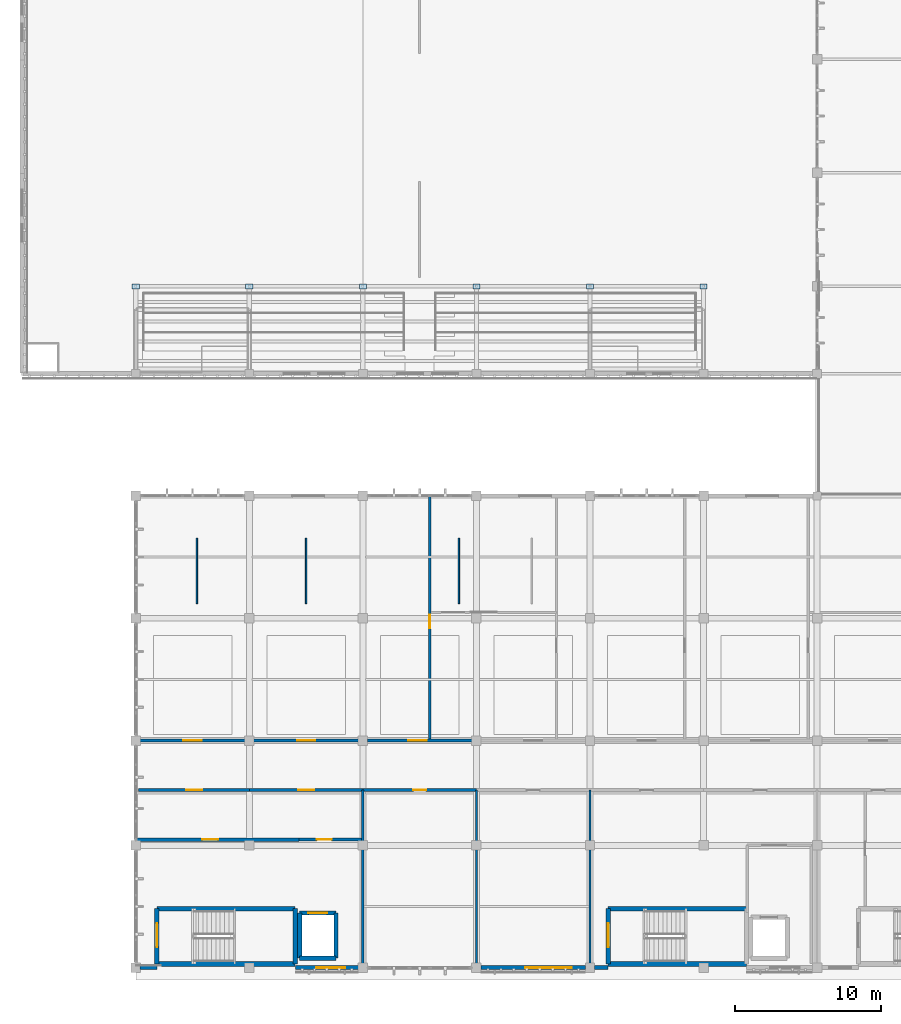
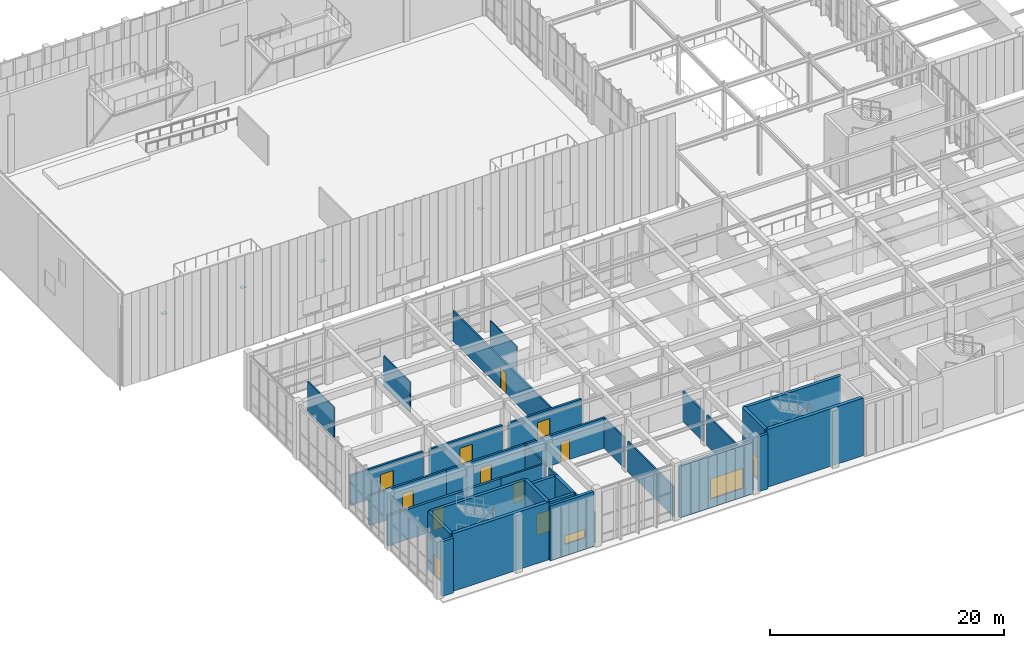
# One storey, part 70 of 105: 33 walls, 12 doors, 6 plates, 2 windows, 14 openings.
"""IFC4 building model written with IfcOpenShell, lengths in metres."""

from ifc_helpers import new_model, si_unit, direction, frame, frame_2d, origin, origin_2d, place, context, subcontext, project, spatial, rectangle, extrude, material, layer, layer_set, type_object, element, fill, save


model = new_model("IFC4")

# Units and contexts
model_context = context("Model", 3, precision=1e-05, world=origin(), true_north=direction((0.0, 1.0)))
body_context = subcontext(model_context, "Body", "Model", "MODEL_VIEW")
ifc_project = project(units=[si_unit("LENGTHUNIT", "METRE"), si_unit("AREAUNIT", "SQUARE_METRE"), si_unit("VOLUMEUNIT", "CUBIC_METRE"), si_unit("PLANEANGLEUNIT", "RADIAN"), si_unit("MASSUNIT", "GRAM", prefix="KILO")], contexts=[model_context])

# Site, building, storey
site_placement = place(None, origin())
site = spatial("IfcSite", under=ifc_project, at=site_placement, CompositionType="ELEMENT")
building_placement = place(site_placement, origin())
building = spatial("IfcBuilding", under=site, at=building_placement, Name="Tizgana Railside Sports Hall", CompositionType="ELEMENT")
storey_placement = place(building_placement, frame((0.0, 0.0, 6.0)))
storey = spatial("IfcBuildingStorey", under=building, at=storey_placement, Name="L01", CompositionType="ELEMENT", Elevation=6.0)

# Plates
ifc_material_1 = material(Name="Steel S355J2", Category="steel")
ifc_layer_1 = layer(ifc_material_1, 0.02490234375, Name="Steel S355J2")
ifc_layer_set_1 = layer_set([ifc_layer_1], Name="Steel S355J2")
plate_type = type_object("IfcPlateType", Name="Pavilion Post Base Plate 500x340x25", PredefinedType="USERDEFINED", material=ifc_layer_set_1)
for number, where, z_axis, x_axis, name in (
    (1, (7.800048828125, 46.800048828125, 1.185546875), (0.0, 0.0, 1.0), (1.0, 0.0, 0.0), "L01 Stand Strut Cap Plate"),
    (2, (15.60009765625, 46.800048828125, 1.185546875), (0.0, 0.0, 1.0), (1.0, 0.0, 0.0), "L01 Stand Strut Cap Plate"),
    (3, (23.39990234375, 46.800048828125, 1.185546875), (0.0, 0.0, 1.0), (1.0, 0.0, 0.0), "L01 Stand Strut Cap Plate"),
    (4, (31.199951171875, 46.800048828125, 1.185546875), (0.0, 0.0, 1.0), (1.0, 0.0, 0.0), "L01 Stand Strut Cap Plate"),
    (5, (39.0, 46.800048828125, 1.185546875), (0.0, 0.0, 1.0), (1.0, 0.0, 0.0), "L01 Stand Strut Cap Plate"),
    (6, (46.800048828125, 46.800048828125, 1.185546875), (0.0, 0.0, 1.0), (1.0, 0.0, 0.0), "L01 Stand Strut Cap Plate"),
):
    element("IfcPlate", number, at=place(storey_placement, frame(where, z_axis=z_axis, x_axis=x_axis)), inside=storey, type_object=plate_type, Name=name, ObjectType="BASE_PLATE", PredefinedType="USERDEFINED", context=body_context, shape_type="SweptSolid", body=[
        extrude(rectangle(XDim=0.5, YDim=0.340087890625, at=origin_2d()), origin(), (0.0, 0.0, 1.0), 0.02490234375),
    ])

# Wall, opening, door
ifc_material_2 = material(Name="Acoustic gypsum stud")
ifc_layer_2 = layer(ifc_material_2, 0.159912109375, Name="Acoustic gypsum stud")
ifc_layer_set_2 = layer_set([ifc_layer_2], Name="Acoustic gypsum stud")
wall_type_1 = type_object("IfcWallType", Name="Clinic Acoustic Partition 160", PredefinedType="STANDARD", material=ifc_layer_set_2)
wall_1_placement = place(storey_placement, frame((28.0, 15.60009765625, 0.0), z_axis=(0.0, 0.0, 1.0), x_axis=(0.0, 1.0, 0.0)))
wall_1 = element("IfcWall", 7, at=wall_1_placement, inside=storey, type_object=wall_type_1, Name="L01 Partition PWAL-0075", PredefinedType="STANDARD", context=body_context, shape_type="SweptSolid", body=[
    extrude(rectangle(XDim=16.75732421875, YDim=0.159912109375, at=frame_2d((8.378662109375, 0.0))), origin(), (0.0, 0.0, 1.0), 3.14990234375),
])
opening_1_placement = place(wall_1_placement, frame((7.715087890625, 0.0, 0.0)))
opening_1 = element("IfcOpeningElement", 8, at=opening_1_placement, cuts=wall_1, Name="Opening D-0155", PredefinedType="OPENING", context=body_context, shape_type="SweptSolid", body=[
    extrude(rectangle(XDim=0.919921875, YDim=2.14990234375, at=frame_2d((0.4599609375, 1.074951171875))), frame((0.0, 0.08984375, 0.0), z_axis=(0.0, -1.0, 0.0), x_axis=(1.0, 0.0, 0.0)), (0.0, 0.0, 1.0), 0.179931640625),
])
ifc_material_3 = material(Name="Solid beech timber", Category="wood")
door_type_1 = type_object("IfcDoorType", Name="Consultation & Coaching Door 920x2150", OperationType="NOTDEFINED", PredefinedType="DOOR", material=ifc_material_3)
door_1_placement = place(opening_1_placement, origin())
door_1 = element("IfcDoor", 9, at=door_1_placement, inside=storey, type_object=door_type_1, Name="L01 Door D-0155", OperationType="SINGLE_SWING_LEFT", OverallHeight=2.14990234375, OverallWidth=0.919921875, PredefinedType="DOOR", context=body_context, shape_type="SweptSolid", body=[
    extrude(rectangle(XDim=0.919921875, YDim=2.14990234375, at=frame_2d((0.4599609375, 1.074951171875))), frame((0.0, 0.02490234375, 0.0), z_axis=(0.0, -1.0, 0.0), x_axis=(1.0, 0.0, 0.0)), (0.0, 0.0, 1.0), 0.050048828125),
])
fill(opening_1, door_1)

# Walls
wall_2_placement = place(storey_placement, frame((23.39990234375, 0.300048828125, 0.0), z_axis=(0.0, 0.0, 1.0), x_axis=(0.0, 1.0, 0.0)))
element("IfcWall", 10, at=wall_2_placement, inside=storey, type_object=wall_type_1, Name="L01 Partition PWAL-0080", PredefinedType="STANDARD", context=body_context, shape_type="SweptSolid", body=[
    extrude(rectangle(XDim=7.800048828125, YDim=0.159912109375, at=frame_2d((3.89990234375, 0.0))), origin(), (0.0, 0.0, 1.0), 3.14990234375),
])
wall_3_placement = place(storey_placement, frame((23.39990234375, 8.699951171875, 0.0), z_axis=(0.0, 0.0, 1.0), x_axis=(0.0, 1.0, 0.0)))
element("IfcWall", 11, at=wall_3_placement, inside=storey, type_object=wall_type_1, Name="L01 Partition PWAL-0081", PredefinedType="STANDARD", context=body_context, shape_type="SweptSolid", body=[
    extrude(rectangle(XDim=3.5, YDim=0.159912109375, at=frame_2d((1.75, 0.0))), origin(), (0.0, 0.0, 1.0), 3.14990234375),
])
wall_4_placement = place(storey_placement, frame((31.199951171875, 0.300048828125, 0.0), z_axis=(0.0, 0.0, 1.0), x_axis=(0.0, 1.0, 0.0)))
element("IfcWall", 12, at=wall_4_placement, inside=storey, type_object=wall_type_1, Name="L01 Partition PWAL-0082", PredefinedType="STANDARD", context=body_context, shape_type="SweptSolid", body=[
    extrude(rectangle(XDim=7.800048828125, YDim=0.159912109375, at=frame_2d((3.89990234375, 0.0))), origin(), (0.0, 0.0, 1.0), 3.14990234375),
])
wall_5_placement = place(storey_placement, frame((31.199951171875, 8.699951171875, 0.0), z_axis=(0.0, 0.0, 1.0), x_axis=(0.0, 1.0, 0.0)))
element("IfcWall", 13, at=wall_5_placement, inside=storey, type_object=wall_type_1, Name="L01 Partition PWAL-0083", PredefinedType="STANDARD", context=body_context, shape_type="SweptSolid", body=[
    extrude(rectangle(XDim=3.5, YDim=0.159912109375, at=frame_2d((1.75, 0.0))), origin(), (0.0, 0.0, 1.0), 3.14990234375),
])
wall_6_placement = place(storey_placement, frame((39.0, 0.300048828125, 0.0), z_axis=(0.0, 0.0, 1.0), x_axis=(0.0, 1.0, 0.0)))
element("IfcWall", 14, at=wall_6_placement, inside=storey, type_object=wall_type_1, Name="L01 Partition PWAL-0084", PredefinedType="STANDARD", context=body_context, shape_type="SweptSolid", body=[
    extrude(rectangle(XDim=7.800048828125, YDim=0.159912109375, at=frame_2d((3.89990234375, 0.0))), origin(), (0.0, 0.0, 1.0), 3.14990234375),
])
wall_7_placement = place(storey_placement, frame((39.0, 8.699951171875, 0.0), z_axis=(0.0, 0.0, 1.0), x_axis=(0.0, 1.0, 0.0)))
element("IfcWall", 15, at=wall_7_placement, inside=storey, type_object=wall_type_1, Name="L01 Partition PWAL-0085", PredefinedType="STANDARD", context=body_context, shape_type="SweptSolid", body=[
    extrude(rectangle(XDim=3.5, YDim=0.159912109375, at=frame_2d((1.75, 0.0))), origin(), (0.0, 0.0, 1.0), 3.14990234375),
])
ifc_material_4 = material(Name="Concrete C40/50", Category="concrete")
ifc_layer_3 = layer(ifc_material_4, 0.300048828125, Name="Concrete C40/50")
ifc_layer_set_3 = layer_set([ifc_layer_3], Name="Concrete C40/50")
wall_type_2 = type_object("IfcWallType", Name="Core Shear Wall 300", PredefinedType="SHEAR", material=ifc_layer_set_3)
wall_8_placement = place(storey_placement, frame((9.25, 4.050048828125, 0.0), z_axis=(0.0, 0.0, 1.0), x_axis=(1.0, 0.0, 0.0)))
element("IfcWall", 16, at=wall_8_placement, inside=storey, type_object=wall_type_2, Name="L01 C1 Shaft Wall N", PredefinedType="SHEAR", context=body_context, shape_type="SweptSolid", body=[
    extrude(rectangle(XDim=9.5, YDim=0.300048828125, at=frame_2d((4.75, 0.0))), origin(), (0.0, 0.0, 1.0), 6.0),
])

# Wall, opening, door
wall_9_placement = place(storey_placement, frame((9.25, 0.25, 0.0), z_axis=(0.0, 0.0, 1.0), x_axis=(0.0, 1.0, 0.0)))
wall_9 = element("IfcWall", 17, at=wall_9_placement, inside=storey, type_object=wall_type_2, Name="L01 C1 Shaft Wall W", PredefinedType="SHEAR", context=body_context, shape_type="SweptSolid", body=[
    extrude(rectangle(XDim=3.800048828125, YDim=0.300048828125, at=frame_2d((1.89990234375, 0.0))), origin(), (0.0, 0.0, 1.0), 6.0),
])
opening_2_placement = place(wall_9_placement, frame((1.14990234375, 0.0, 0.0)))
opening_2 = element("IfcOpeningElement", 18, at=opening_2_placement, cuts=wall_9, Name="Opening D-0039", PredefinedType="OPENING", context=body_context, shape_type="SweptSolid", body=[
    extrude(rectangle(XDim=1.64990234375, YDim=2.199951171875, at=frame_2d((0.824951171875, 1.10009765625))), frame((0.0, 0.159912109375, 0.0), z_axis=(0.0, -1.0, 0.0), x_axis=(1.0, 0.0, 0.0)), (0.0, 0.0, 1.0), 0.320068359375),
])
ifc_material_5 = material(Name="Timber fire leaf", Category="wood")
door_type_2 = type_object("IfcDoorType", Name="Stair Core Double Fire Door 1650x2200", OperationType="NOTDEFINED", PredefinedType="DOOR", material=ifc_material_5)
door_2_placement = place(opening_2_placement, origin())
door_2 = element("IfcDoor", 19, at=door_2_placement, inside=storey, type_object=door_type_2, Name="L01 Door D-0039", OperationType="DOUBLE_DOOR_SINGLE_SWING", OverallHeight=2.199951171875, OverallWidth=1.64990234375, PredefinedType="DOOR", context=body_context, shape_type="SweptSolid", body=[
    extrude(rectangle(XDim=1.64990234375, YDim=2.199951171875, at=frame_2d((0.824951171875, 1.10009765625))), frame((0.0, 0.02490234375, 0.0), z_axis=(0.0, -1.0, 0.0), x_axis=(1.0, 0.0, 0.0)), (0.0, 0.0, 1.0), 0.050048828125),
])
fill(opening_2, door_2)

# Walls
wall_10_placement = place(storey_placement, frame((18.75, 0.25, 0.0), z_axis=(0.0, 0.0, 1.0), x_axis=(0.0, 1.0, 0.0)))
element("IfcWall", 20, at=wall_10_placement, inside=storey, type_object=wall_type_2, Name="L01 C1 Shaft Wall E", PredefinedType="SHEAR", context=body_context, shape_type="SweptSolid", body=[
    extrude(rectangle(XDim=3.800048828125, YDim=0.300048828125, at=frame_2d((1.89990234375, 0.0))), origin(), (0.0, 0.0, 1.0), 6.0),
])
wall_11_placement = place(storey_placement, frame((19.050048828125, 0.64990234375, 0.0), z_axis=(0.0, 0.0, 1.0), x_axis=(1.0, 0.0, 0.0)))
element("IfcWall", 21, at=wall_11_placement, inside=storey, type_object=wall_type_2, Name="L01 LF-01 Shaft Wall S", PredefinedType="SHEAR", context=body_context, shape_type="SweptSolid", body=[
    extrude(rectangle(XDim=2.5, YDim=0.300048828125, at=frame_2d((1.25, 0.0))), origin(), (0.0, 0.0, 1.0), 5.639892578125),
])

# Wall, opening, door
wall_12_placement = place(storey_placement, frame((19.050048828125, 3.75, 0.0), z_axis=(0.0, 0.0, 1.0), x_axis=(1.0, 0.0, 0.0)))
wall_12 = element("IfcWall", 22, at=wall_12_placement, inside=storey, type_object=wall_type_2, Name="L01 LF-01 Shaft Wall N", PredefinedType="SHEAR", context=body_context, shape_type="SweptSolid", body=[
    extrude(rectangle(XDim=2.5, YDim=0.300048828125, at=frame_2d((1.25, 0.0))), origin(), (0.0, 0.0, 1.0), 5.639892578125),
])
opening_3_placement = place(wall_12_placement, frame((0.60009765625, 0.0, 0.0)))
opening_3 = element("IfcOpeningElement", 23, at=opening_3_placement, cuts=wall_12, Name="Opening D-0045", PredefinedType="OPENING", context=body_context, shape_type="SweptSolid", body=[
    extrude(rectangle(XDim=1.300048828125, YDim=2.199951171875, at=frame_2d((0.64990234375, 1.10009765625))), frame((0.0, 0.159912109375, 0.0), z_axis=(0.0, -1.0, 0.0), x_axis=(1.0, 0.0, 0.0)), (0.0, 0.0, 1.0), 0.320068359375),
])
ifc_material_6 = material(Name="Brushed stainless steel", Category="steel")
door_type_3 = type_object("IfcDoorType", Name="Stretcher Lift Sliding Door 1300x2200", OperationType="NOTDEFINED", PredefinedType="DOOR", material=ifc_material_6)
door_3_placement = place(opening_3_placement, origin())
door_3 = element("IfcDoor", 24, at=door_3_placement, inside=storey, type_object=door_type_3, Name="L01 Door D-0045", OperationType="DOUBLE_DOOR_SLIDING", OverallHeight=2.199951171875, OverallWidth=1.300048828125, PredefinedType="DOOR", context=body_context, shape_type="SweptSolid", body=[
    extrude(rectangle(XDim=1.300048828125, YDim=2.199951171875, at=frame_2d((0.64990234375, 1.10009765625))), frame((0.0, 0.02490234375, 0.0), z_axis=(0.0, -1.0, 0.0), x_axis=(1.0, 0.0, 0.0)), (0.0, 0.0, 1.0), 0.050048828125),
])
fill(opening_3, door_3)

# Walls
for number, where, z_axis, x_axis, name in (
    (25, (19.050048828125, 0.64990234375, 0.0), (0.0, 0.0, 1.0), (0.0, 1.0, 0.0), "L01 LF-01 Shaft Wall W"),
    (26, (21.550048828125, 0.64990234375, 0.0), (0.0, 0.0, 1.0), (0.0, 1.0, 0.0), "L01 LF-01 Shaft Wall E"),
):
    element("IfcWall", number, at=place(storey_placement, frame(where, z_axis=z_axis, x_axis=x_axis)), inside=storey, type_object=wall_type_2, Name=name, PredefinedType="SHEAR", context=body_context, shape_type="SweptSolid", body=[
        extrude(rectangle(XDim=3.10009765625, YDim=0.300048828125, at=frame_2d((1.550048828125, 0.0))), origin(), (0.0, 0.0, 1.0), 5.639892578125),
    ])
wall_13_placement = place(storey_placement, frame((40.25, 4.050048828125, 0.0), z_axis=(0.0, 0.0, 1.0), x_axis=(1.0, 0.0, 0.0)))
element("IfcWall", 27, at=wall_13_placement, inside=storey, type_object=wall_type_2, Name="L01 C2 Shaft Wall N", PredefinedType="SHEAR", context=body_context, shape_type="SweptSolid", body=[
    extrude(rectangle(XDim=9.5, YDim=0.300048828125, at=frame_2d((4.75, 0.0))), origin(), (0.0, 0.0, 1.0), 6.0),
])

# Wall, opening, door
wall_14_placement = place(storey_placement, frame((40.25, 0.25, 0.0), z_axis=(0.0, 0.0, 1.0), x_axis=(0.0, 1.0, 0.0)))
wall_14 = element("IfcWall", 28, at=wall_14_placement, inside=storey, type_object=wall_type_2, Name="L01 C2 Shaft Wall W", PredefinedType="SHEAR", context=body_context, shape_type="SweptSolid", body=[
    extrude(rectangle(XDim=3.800048828125, YDim=0.300048828125, at=frame_2d((1.89990234375, 0.0))), origin(), (0.0, 0.0, 1.0), 6.0),
])
opening_4_placement = place(wall_14_placement, frame((1.14990234375, 0.0, 0.0)))
opening_4 = element("IfcOpeningElement", 29, at=opening_4_placement, cuts=wall_14, Name="Opening D-0052", PredefinedType="OPENING", context=body_context, shape_type="SweptSolid", body=[
    extrude(rectangle(XDim=1.64990234375, YDim=2.199951171875, at=frame_2d((0.824951171875, 1.10009765625))), frame((0.0, 0.159912109375, 0.0), z_axis=(0.0, -1.0, 0.0), x_axis=(1.0, 0.0, 0.0)), (0.0, 0.0, 1.0), 0.320068359375),
])
door_4_placement = place(opening_4_placement, origin())
door_4 = element("IfcDoor", 30, at=door_4_placement, inside=storey, type_object=door_type_2, Name="L01 Door D-0052", OperationType="DOUBLE_DOOR_SINGLE_SWING", OverallHeight=2.199951171875, OverallWidth=1.64990234375, PredefinedType="DOOR", context=body_context, shape_type="SweptSolid", body=[
    extrude(rectangle(XDim=1.64990234375, YDim=2.199951171875, at=frame_2d((0.824951171875, 1.10009765625))), frame((0.0, 0.02490234375, 0.0), z_axis=(0.0, -1.0, 0.0), x_axis=(1.0, 0.0, 0.0)), (0.0, 0.0, 1.0), 0.050048828125),
])
fill(opening_4, door_4)

ifc_material_7 = material(Name="Masonry blockwork", Category="masonry")
ifc_layer_4 = layer(ifc_material_7, 0.199951171875, Name="Masonry blockwork")
ifc_layer_set_4 = layer_set([ifc_layer_4], Name="Masonry blockwork")
wall_type_3 = type_object("IfcWallType", Name="Corridor Compartment Partition 200", PredefinedType="STANDARD", material=ifc_layer_set_4)
wall_15_placement = place(storey_placement, frame((8.10009765625, 15.60009765625, 0.0), z_axis=(0.0, 0.0, 1.0), x_axis=(1.0, 0.0, 0.0)))
wall_15 = element("IfcWall", 31, at=wall_15_placement, inside=storey, type_object=wall_type_3, Name="L01 Partition PWAL-0053", PredefinedType="STANDARD", context=body_context, shape_type="SweptSolid", body=[
    extrude(rectangle(XDim=7.199951171875, YDim=0.199951171875, at=frame_2d((3.60009765625, 0.0))), origin(), (0.0, 0.0, 1.0), 3.14990234375),
])
opening_5_placement = place(wall_15_placement, frame((2.97509765625, 0.0, 0.0)))
opening_5 = element("IfcOpeningElement", 32, at=opening_5_placement, cuts=wall_15, Name="Opening D-0133", PredefinedType="OPENING", context=body_context, shape_type="SweptSolid", body=[
    extrude(rectangle(XDim=1.25, YDim=2.199951171875, at=frame_2d((0.625, 1.10009765625))), frame((0.0, 0.10986328125, 0.0), z_axis=(0.0, -1.0, 0.0), x_axis=(1.0, 0.0, 0.0)), (0.0, 0.0, 1.0), 0.219970703125),
])
door_type_4 = type_object("IfcDoorType", Name="Clinic Stretcher Leaf Door 1250x2200", OperationType="NOTDEFINED", PredefinedType="DOOR", material=ifc_material_3)
door_5_placement = place(opening_5_placement, origin())
door_5 = element("IfcDoor", 33, at=door_5_placement, inside=storey, type_object=door_type_4, Name="L01 Door D-0133", OperationType="SINGLE_SWING_LEFT", OverallHeight=2.199951171875, OverallWidth=1.25, PredefinedType="DOOR", context=body_context, shape_type="SweptSolid", body=[
    extrude(rectangle(XDim=1.25, YDim=2.199951171875, at=frame_2d((0.625, 1.10009765625))), frame((0.0, 0.02490234375, 0.0), z_axis=(0.0, -1.0, 0.0), x_axis=(1.0, 0.0, 0.0)), (0.0, 0.0, 1.0), 0.050048828125),
])
fill(opening_5, door_5)

wall_16_placement = place(storey_placement, frame((8.0, 12.199951171875, 0.0), z_axis=(0.0, 0.0, 1.0), x_axis=(1.0, 0.0, 0.0)))
wall_16 = element("IfcWall", 34, at=wall_16_placement, inside=storey, type_object=wall_type_3, Name="L01 Partition PWAL-0054", PredefinedType="STANDARD", context=body_context, shape_type="SweptSolid", body=[
    extrude(rectangle(XDim=7.60009765625, YDim=0.199951171875, at=frame_2d((3.800048828125, 0.0))), origin(), (0.0, 0.0, 1.0), 3.14990234375),
])
opening_6_placement = place(wall_16_placement, frame((3.25, 0.0, 0.0)))
opening_6 = element("IfcOpeningElement", 35, at=opening_6_placement, cuts=wall_16, Name="Opening D-0134", PredefinedType="OPENING", context=body_context, shape_type="SweptSolid", body=[
    extrude(rectangle(XDim=1.10009765625, YDim=2.199951171875, at=frame_2d((0.550048828125, 1.10009765625))), frame((0.0, 0.10986328125, 0.0), z_axis=(0.0, -1.0, 0.0), x_axis=(1.0, 0.0, 0.0)), (0.0, 0.0, 1.0), 0.219970703125),
])
door_type_5 = type_object("IfcDoorType", Name="Firefighting Lobby Fire Door 1100x2200", OperationType="NOTDEFINED", PredefinedType="DOOR", material=ifc_material_5)
door_6_placement = place(opening_6_placement, origin())
door_6 = element("IfcDoor", 36, at=door_6_placement, inside=storey, type_object=door_type_5, Name="L01 Door D-0134", OperationType="SINGLE_SWING_RIGHT", OverallHeight=2.199951171875, OverallWidth=1.10009765625, PredefinedType="DOOR", context=body_context, shape_type="SweptSolid", body=[
    extrude(rectangle(XDim=1.10009765625, YDim=2.199951171875, at=frame_2d((0.550048828125, 1.10009765625))), frame((0.0, 0.02490234375, 0.0), z_axis=(0.0, -1.0, 0.0), x_axis=(1.0, 0.0, 0.0)), (0.0, 0.0, 1.0), 0.050048828125),
])
fill(opening_6, door_6)

wall_17_placement = place(storey_placement, frame((15.89990234375, 15.60009765625, 0.0), z_axis=(0.0, 0.0, 1.0), x_axis=(1.0, 0.0, 0.0)))
wall_17 = element("IfcWall", 37, at=wall_17_placement, inside=storey, type_object=wall_type_3, Name="L01 Partition PWAL-0055", PredefinedType="STANDARD", context=body_context, shape_type="SweptSolid", body=[
    extrude(rectangle(XDim=7.2001953125, YDim=0.199951171875, at=frame_2d((3.60009765625, 0.0))), origin(), (0.0, 0.0, 1.0), 3.14990234375),
])
opening_7_placement = place(wall_17_placement, frame((2.97509765625, 0.0, 0.0)))
opening_7 = element("IfcOpeningElement", 38, at=opening_7_placement, cuts=wall_17, Name="Opening D-0135", PredefinedType="OPENING", context=body_context, shape_type="SweptSolid", body=[
    extrude(rectangle(XDim=1.25, YDim=2.199951171875, at=frame_2d((0.625, 1.10009765625))), frame((0.0, 0.10986328125, 0.0), z_axis=(0.0, -1.0, 0.0), x_axis=(1.0, 0.0, 0.0)), (0.0, 0.0, 1.0), 0.219970703125),
])
door_7_placement = place(opening_7_placement, origin())
door_7 = element("IfcDoor", 39, at=door_7_placement, inside=storey, type_object=door_type_4, Name="L01 Door D-0135", OperationType="SINGLE_SWING_LEFT", OverallHeight=2.199951171875, OverallWidth=1.25, PredefinedType="DOOR", context=body_context, shape_type="SweptSolid", body=[
    extrude(rectangle(XDim=1.25, YDim=2.199951171875, at=frame_2d((0.625, 1.10009765625))), frame((0.0, 0.02490234375, 0.0), z_axis=(0.0, -1.0, 0.0), x_axis=(1.0, 0.0, 0.0)), (0.0, 0.0, 1.0), 0.050048828125),
])
fill(opening_7, door_7)

wall_18_placement = place(storey_placement, frame((15.60009765625, 12.199951171875, 0.0), z_axis=(0.0, 0.0, 1.0), x_axis=(1.0, 0.0, 0.0)))
wall_18 = element("IfcWall", 40, at=wall_18_placement, inside=storey, type_object=wall_type_3, Name="L01 Partition PWAL-0056", PredefinedType="STANDARD", context=body_context, shape_type="SweptSolid", body=[
    extrude(rectangle(XDim=7.7998046875, YDim=0.199951171875, at=frame_2d((3.89990234375, 0.0))), origin(), (0.0, 0.0, 1.0), 3.14990234375),
])
opening_8_placement = place(wall_18_placement, frame((3.35009765625, 0.0, 0.0)))
opening_8 = element("IfcOpeningElement", 41, at=opening_8_placement, cuts=wall_18, Name="Opening D-0136", PredefinedType="OPENING", context=body_context, shape_type="SweptSolid", body=[
    extrude(rectangle(XDim=1.10009765625, YDim=2.199951171875, at=frame_2d((0.550048828125, 1.10009765625))), frame((0.0, 0.10986328125, 0.0), z_axis=(0.0, -1.0, 0.0), x_axis=(1.0, 0.0, 0.0)), (0.0, 0.0, 1.0), 0.219970703125),
])
door_8_placement = place(opening_8_placement, origin())
door_8 = element("IfcDoor", 42, at=door_8_placement, inside=storey, type_object=door_type_5, Name="L01 Door D-0136", OperationType="SINGLE_SWING_RIGHT", OverallHeight=2.199951171875, OverallWidth=1.10009765625, PredefinedType="DOOR", context=body_context, shape_type="SweptSolid", body=[
    extrude(rectangle(XDim=1.10009765625, YDim=2.199951171875, at=frame_2d((0.550048828125, 1.10009765625))), frame((0.0, 0.02490234375, 0.0), z_axis=(0.0, -1.0, 0.0), x_axis=(1.0, 0.0, 0.0)), (0.0, 0.0, 1.0), 0.050048828125),
])
fill(opening_8, door_8)

wall_19_placement = place(storey_placement, frame((23.699951171875, 15.60009765625, 0.0), z_axis=(0.0, 0.0, 1.0), x_axis=(1.0, 0.0, 0.0)))
wall_19 = element("IfcWall", 43, at=wall_19_placement, inside=storey, type_object=wall_type_3, Name="L01 Partition PWAL-0057", PredefinedType="STANDARD", context=body_context, shape_type="SweptSolid", body=[
    extrude(rectangle(XDim=7.199951171875, YDim=0.199951171875, at=frame_2d((3.60009765625, 0.0))), origin(), (0.0, 0.0, 1.0), 3.14990234375),
])
opening_9_placement = place(wall_19_placement, frame((2.824951171875, 0.0, 0.0)))
opening_9 = element("IfcOpeningElement", 44, at=opening_9_placement, cuts=wall_19, Name="Opening D-0137", PredefinedType="OPENING", context=body_context, shape_type="SweptSolid", body=[
    extrude(rectangle(XDim=1.25, YDim=2.199951171875, at=frame_2d((0.625, 1.10009765625))), frame((0.0, 0.10986328125, 0.0), z_axis=(0.0, -1.0, 0.0), x_axis=(1.0, 0.0, 0.0)), (0.0, 0.0, 1.0), 0.219970703125),
])
door_9_placement = place(opening_9_placement, origin())
door_9 = element("IfcDoor", 45, at=door_9_placement, inside=storey, type_object=door_type_4, Name="L01 Door D-0137", OperationType="SINGLE_SWING_LEFT", OverallHeight=2.199951171875, OverallWidth=1.25, PredefinedType="DOOR", context=body_context, shape_type="SweptSolid", body=[
    extrude(rectangle(XDim=1.25, YDim=2.199951171875, at=frame_2d((0.625, 1.10009765625))), frame((0.0, 0.02490234375, 0.0), z_axis=(0.0, -1.0, 0.0), x_axis=(1.0, 0.0, 0.0)), (0.0, 0.0, 1.0), 0.050048828125),
])
fill(opening_9, door_9)

wall_20_placement = place(storey_placement, frame((23.39990234375, 12.199951171875, 0.0), z_axis=(0.0, 0.0, 1.0), x_axis=(1.0, 0.0, 0.0)))
wall_20 = element("IfcWall", 46, at=wall_20_placement, inside=storey, type_object=wall_type_3, Name="L01 Partition PWAL-0058", PredefinedType="STANDARD", context=body_context, shape_type="SweptSolid", body=[
    extrude(rectangle(XDim=7.800048828125, YDim=0.199951171875, at=frame_2d((3.89990234375, 0.0))), origin(), (0.0, 0.0, 1.0), 3.14990234375),
])
opening_10_placement = place(wall_20_placement, frame((3.4599609375, 0.0, 0.0)))
opening_10 = element("IfcOpeningElement", 47, at=opening_10_placement, cuts=wall_20, Name="Opening D-0138", PredefinedType="OPENING", context=body_context, shape_type="SweptSolid", body=[
    extrude(rectangle(XDim=0.8798828125, YDim=2.10009765625, at=frame_2d((0.43994140625, 1.050048828125))), frame((0.0, 0.10986328125, 0.0), z_axis=(0.0, -1.0, 0.0), x_axis=(1.0, 0.0, 0.0)), (0.0, 0.0, 1.0), 0.219970703125),
])
door_type_6 = type_object("IfcDoorType", Name="Public & Staff WC Door 880x2100", OperationType="NOTDEFINED", PredefinedType="DOOR", material=ifc_material_3)
door_10_placement = place(opening_10_placement, origin())
door_10 = element("IfcDoor", 48, at=door_10_placement, inside=storey, type_object=door_type_6, Name="L01 Door D-0138", OperationType="SINGLE_SWING_RIGHT", OverallHeight=2.10009765625, OverallWidth=0.8798828125, PredefinedType="DOOR", context=body_context, shape_type="SweptSolid", body=[
    extrude(rectangle(XDim=0.8798828125, YDim=2.10009765625, at=frame_2d((0.43994140625, 1.050048828125))), frame((0.0, 0.02490234375, 0.0), z_axis=(0.0, -1.0, 0.0), x_axis=(1.0, 0.0, 0.0)), (0.0, 0.0, 1.0), 0.050048828125),
])
fill(opening_10, door_10)

# Walls
ifc_material_8 = material(Name="Concrete C35/45", Category="concrete")
ifc_layer_5 = layer(ifc_material_8, 0.340087890625, Name="Concrete C35/45")
ifc_layer_set_5 = layer_set([ifc_layer_5], Name="Concrete C35/45")
wall_type_4 = type_object("IfcWallType", Name="Exterior Insulated Concrete Wall 340", PredefinedType="STANDARD", material=ifc_layer_set_5)
for number, where, z_axis, x_axis, name in (
    (49, (18.75, 0.25, 0.0), (0.0, 0.0, 1.0), (-1.0, 0.0, 0.0), "L01 C1 Shaft Wall S"),
    (50, (49.75, 0.25, 0.0), (0.0, 0.0, 1.0), (-1.0, 0.0, 0.0), "L01 C2 Shaft Wall S"),
):
    element("IfcWall", number, at=place(storey_placement, frame(where, z_axis=z_axis, x_axis=x_axis)), inside=storey, type_object=wall_type_4, Name=name, PredefinedType="STANDARD", context=body_context, shape_type="SweptSolid", body=[
        extrude(rectangle(XDim=9.5, YDim=0.340087890625, at=frame_2d((4.75, 0.0))), origin(), (0.0, 0.0, 1.0), 6.0),
    ])
ifc_material_9 = material(Name="Precast concrete C40/50", Category="concrete")
ifc_layer_6 = layer(ifc_material_9, 0.27001953125, Name="Precast concrete C40/50")
ifc_layer_set_6 = layer_set([ifc_layer_6], Name="Precast concrete C40/50")
wall_type_5 = type_object("IfcWallType", Name="Exterior Studio Facade Wall 270", PredefinedType="STANDARD", material=ifc_layer_set_6)
wall_21_placement = place(storey_placement, frame((9.2451171875, 0.0, 0.0), z_axis=(0.0, 0.0, 1.0), x_axis=(-1.0, 0.0, 0.0)))
element("IfcWall", 51, at=wall_21_placement, inside=storey, type_object=wall_type_5, Name="L01 Exterior Wall EWAL-0083", PredefinedType="STANDARD", context=body_context, shape_type="SweptSolid", body=[
    extrude(rectangle(XDim=1.14501953125, YDim=0.27001953125, at=frame_2d((0.572509765625, 0.0))), origin(), (0.0, 0.0, 1.0), 5.719970703125),
])

# Wall, opening, window
wall_22_placement = place(storey_placement, frame((23.0849609375, 0.0, 0.0), z_axis=(0.0, 0.0, 1.0), x_axis=(-1.0, 0.0, 0.0)))
wall_22 = element("IfcWall", 52, at=wall_22_placement, inside=storey, type_object=wall_type_5, Name="L01 Exterior Wall EWAL-0084", PredefinedType="STANDARD", context=body_context, shape_type="SweptSolid", body=[
    extrude(rectangle(XDim=4.330078125, YDim=0.27001953125, at=frame_2d((2.1650390625, 0.0))), origin(), (0.0, 0.0, 1.0), 5.719970703125),
])
opening_11_placement = place(wall_22_placement, frame((0.885009765625, 0.0, 1.199951171875)))
opening_11 = element("IfcOpeningElement", 53, at=opening_11_placement, cuts=wall_22, Name="Opening W-0059", PredefinedType="OPENING", context=body_context, shape_type="SweptSolid", body=[
    extrude(rectangle(XDim=2.0, YDim=0.89990234375, at=frame_2d((1.0, 0.449951171875))), frame((0.0, 0.14501953125, 0.0), z_axis=(0.0, -1.0, 0.0), x_axis=(1.0, 0.0, 0.0)), (0.0, 0.0, 1.0), 0.2900390625),
])
ifc_material_10 = material(Name="Double low-E laminated glass", Category="glass")
window_type_1 = type_object("IfcWindowType", Name="Changing High-Level Window 2000x900", PartitioningType="SINGLE_PANEL", PredefinedType="WINDOW", material=ifc_material_10)
window_1_placement = place(opening_11_placement, origin())
window_1 = element("IfcWindow", 54, at=window_1_placement, inside=storey, type_object=window_type_1, Name="L01 Window W-0059", OverallHeight=0.89990234375, OverallWidth=2.0, PartitioningType="SINGLE_PANEL", PredefinedType="WINDOW", context=body_context, shape_type="SweptSolid", body=[
    extrude(rectangle(XDim=2.0, YDim=0.89990234375, at=frame_2d((1.0, 0.449951171875))), frame((0.0, 0.030029296875, 0.0), z_axis=(0.0, -1.0, 0.0), x_axis=(1.0, 0.0, 0.0)), (0.0, 0.0, 1.0), 0.06005859375),
])
fill(opening_11, window_1)

wall_23_placement = place(storey_placement, frame((38.68505859375, 0.0, 0.0), z_axis=(0.0, 0.0, 1.0), x_axis=(-1.0, 0.0, 0.0)))
wall_23 = element("IfcWall", 55, at=wall_23_placement, inside=storey, type_object=wall_type_5, Name="L01 Exterior Wall EWAL-0085", PredefinedType="STANDARD", context=body_context, shape_type="SweptSolid", body=[
    extrude(rectangle(XDim=7.170166015625, YDim=0.27001953125, at=frame_2d((3.5849609375, 0.0))), origin(), (0.0, 0.0, 1.0), 5.37109375),
])
opening_12_placement = place(wall_23_placement, frame((0.93505859375, 0.0, 0.89990234375)))
opening_12 = element("IfcOpeningElement", 56, at=opening_12_placement, cuts=wall_23, Name="Opening W-0060", PredefinedType="OPENING", context=body_context, shape_type="SweptSolid", body=[
    extrude(rectangle(XDim=3.199951171875, YDim=2.10009765625, at=frame_2d((1.60009765625, 1.050048828125))), frame((0.0, 0.14501953125, 0.0), z_axis=(0.0, -1.0, 0.0), x_axis=(1.0, 0.0, 0.0)), (0.0, 0.0, 1.0), 0.2900390625),
])
window_type_2 = type_object("IfcWindowType", Name="Studio Wide Window 3200x2100", PartitioningType="SINGLE_PANEL", PredefinedType="WINDOW", material=ifc_material_10)
window_2_placement = place(opening_12_placement, origin())
window_2 = element("IfcWindow", 57, at=window_2_placement, inside=storey, type_object=window_type_2, Name="L01 Window W-0060", OverallHeight=2.10009765625, OverallWidth=3.199951171875, PartitioningType="SINGLE_PANEL", PredefinedType="WINDOW", context=body_context, shape_type="SweptSolid", body=[
    extrude(rectangle(XDim=3.199951171875, YDim=2.10009765625, at=frame_2d((1.60009765625, 1.050048828125))), frame((0.0, 0.030029296875, 0.0), z_axis=(0.0, -1.0, 0.0), x_axis=(1.0, 0.0, 0.0)), (0.0, 0.0, 1.0), 0.06005859375),
])
fill(opening_12, window_2)

# Wall
wall_24_placement = place(storey_placement, frame((40.2451171875, 0.0, 0.0), z_axis=(0.0, 0.0, 1.0), x_axis=(-1.0, 0.0, 0.0)))
element("IfcWall", 58, at=wall_24_placement, inside=storey, type_object=wall_type_5, Name="L01 Exterior Wall EWAL-0086", PredefinedType="STANDARD", context=body_context, shape_type="SweptSolid", body=[
    extrude(rectangle(XDim=0.925048828125, YDim=0.27001953125, at=frame_2d((0.46240234375, 0.0))), origin(), (0.0, 0.0, 1.0), 5.719970703125),
])

# Wall, opening, door
ifc_layer_7 = layer(ifc_material_8, 0.239990234375, Name="Concrete C35/45")
ifc_layer_set_7 = layer_set([ifc_layer_7], Name="Concrete C35/45")
wall_type_6 = type_object("IfcWallType", Name="Firefighting Lobby Wall 240", PredefinedType="STANDARD", material=ifc_layer_set_7)
wall_25_placement = place(storey_placement, frame((7.840087890625, 8.800048828125, 0.0), z_axis=(0.0, 0.0, 1.0), x_axis=(1.0, 0.0, 0.0)))
wall_25 = element("IfcWall", 59, at=wall_25_placement, inside=storey, type_object=wall_type_6, Name="L01 Partition PWAL-0300", PredefinedType="STANDARD", context=body_context, shape_type="SweptSolid", body=[
    extrude(rectangle(XDim=11.159912109375, YDim=0.239990234375, at=frame_2d((5.580078125, 0.0))), origin(), (0.0, 0.0, 1.0), 3.14990234375),
])
opening_13_placement = place(wall_25_placement, frame((4.510009765625, 0.0, 0.0)))
opening_13 = element("IfcOpeningElement", 60, at=opening_13_placement, cuts=wall_25, Name="Opening D-0278", PredefinedType="OPENING", context=body_context, shape_type="SweptSolid", body=[
    extrude(rectangle(XDim=1.10009765625, YDim=2.199951171875, at=frame_2d((0.550048828125, 1.10009765625))), frame((0.0, 0.1298828125, 0.0), z_axis=(0.0, -1.0, 0.0), x_axis=(1.0, 0.0, 0.0)), (0.0, 0.0, 1.0), 0.260009765625),
])
door_11_placement = place(opening_13_placement, origin())
door_11 = element("IfcDoor", 61, at=door_11_placement, inside=storey, type_object=door_type_5, Name="L01 Door D-0278", OperationType="SINGLE_SWING_LEFT", OverallHeight=2.199951171875, OverallWidth=1.10009765625, PredefinedType="DOOR", context=body_context, shape_type="SweptSolid", body=[
    extrude(rectangle(XDim=1.10009765625, YDim=2.199951171875, at=frame_2d((0.550048828125, 1.10009765625))), frame((0.0, 0.02490234375, 0.0), z_axis=(0.0, -1.0, 0.0), x_axis=(1.0, 0.0, 0.0)), (0.0, 0.0, 1.0), 0.050048828125),
])
fill(opening_13, door_11)

# Walls
ifc_layer_8 = layer(ifc_material_2, 0.10009765625, Name="Acoustic gypsum stud")
ifc_layer_set_8 = layer_set([ifc_layer_8], Name="Acoustic gypsum stud")
wall_type_7 = type_object("IfcWallType", Name="Locker Alcove Partition 100", PredefinedType="STANDARD", material=ifc_layer_set_8)
for number, where, z_axis, x_axis, name in (
    (62, (12.0, 25.0, 0.0), (0.0, 0.0, 1.0), (0.0, 1.0, 0.0), "L01 Partition PWAL-0097"),
    (63, (19.5, 25.0, 0.0), (0.0, 0.0, 1.0), (0.0, 1.0, 0.0), "L01 Partition PWAL-0098"),
    (64, (30.0, 25.0, 0.0), (0.0, 0.0, 1.0), (0.0, 1.0, 0.0), "L01 Partition PWAL-0099"),
):
    element("IfcWall", number, at=place(storey_placement, frame(where, z_axis=z_axis, x_axis=x_axis)), inside=storey, type_object=wall_type_7, Name=name, PredefinedType="STANDARD", context=body_context, shape_type="SweptSolid", body=[
        extrude(rectangle(XDim=4.5, YDim=0.10009765625, at=frame_2d((2.25, 0.0))), origin(), (0.0, 0.0, 1.0), 3.14990234375),
    ])

# Wall, opening, door
ifc_layer_9 = layer(ifc_material_7, 0.179931640625, Name="Masonry blockwork")
ifc_layer_set_9 = layer_set([ifc_layer_9], Name="Masonry blockwork")
wall_type_8 = type_object("IfcWallType", Name="Riser and Shaft Wall 180", PredefinedType="STANDARD", material=ifc_layer_set_9)
wall_26_placement = place(storey_placement, frame((19.0, 8.800048828125, 0.0), z_axis=(0.0, 0.0, 1.0), x_axis=(1.0, 0.0, 0.0)))
wall_26 = element("IfcWall", 65, at=wall_26_placement, inside=storey, type_object=wall_type_8, Name="L01 Partition PWAL-0301", PredefinedType="STANDARD", context=body_context, shape_type="SweptSolid", body=[
    extrude(rectangle(XDim=4.31494140625, YDim=0.179931640625, at=frame_2d((2.157470703125, 0.0))), origin(), (0.0, 0.0, 1.0), 3.14990234375),
])
opening_14_placement = place(wall_26_placement, frame((1.239990234375, 0.0, 0.0)))
opening_14 = element("IfcOpeningElement", 66, at=opening_14_placement, cuts=wall_26, Name="Opening D-0279", PredefinedType="OPENING", context=body_context, shape_type="SweptSolid", body=[
    extrude(rectangle(XDim=1.02001953125, YDim=2.14990234375, at=frame_2d((0.510009765625, 1.074951171875))), frame((0.0, 0.099853515625, 0.0), z_axis=(0.0, -1.0, 0.0), x_axis=(1.0, 0.0, 0.0)), (0.0, 0.0, 1.0), 0.199951171875),
])
door_type_7 = type_object("IfcDoorType", Name="Accessible Changing & WC Door 1020x2150", OperationType="NOTDEFINED", PredefinedType="DOOR", material=ifc_material_3)
door_12_placement = place(opening_14_placement, origin())
door_12 = element("IfcDoor", 67, at=door_12_placement, inside=storey, type_object=door_type_7, Name="L01 Door D-0279", OperationType="SINGLE_SWING_RIGHT", OverallHeight=2.14990234375, OverallWidth=1.02001953125, PredefinedType="DOOR", context=body_context, shape_type="SweptSolid", body=[
    extrude(rectangle(XDim=1.02001953125, YDim=2.14990234375, at=frame_2d((0.510009765625, 1.074951171875))), frame((0.0, 0.02490234375, 0.0), z_axis=(0.0, -1.0, 0.0), x_axis=(1.0, 0.0, 0.0)), (0.0, 0.0, 1.0), 0.050048828125),
])
fill(opening_14, door_12)

save(model, "model.ifc")
